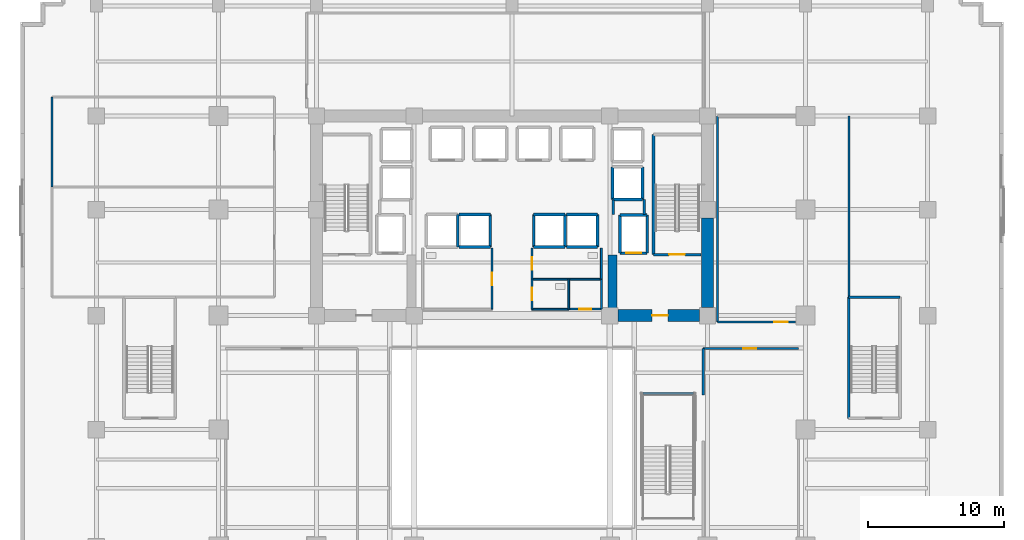
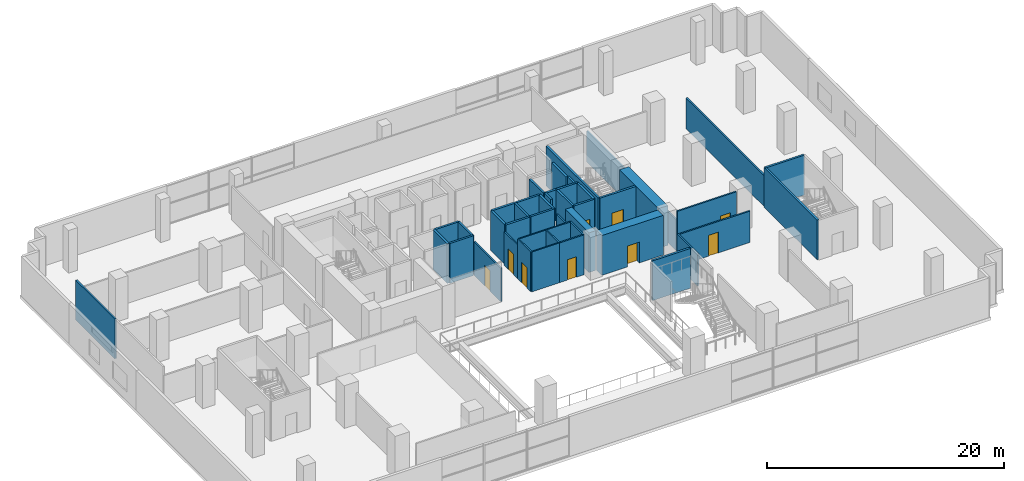
# One storey, part 15 of 21: 43 walls, 9 doors, 9 openings.
"""IFC4 building model written with IfcOpenShell, lengths in metres."""

from ifc_helpers import new_model, si_unit, direction, frame, frame_2d, origin, place, context, subcontext, project, spatial, rectangle, extrude, source, transform, mapped, material, layer, layer_set, type_object, element, fill, save


model = new_model("IFC4")

# Units and contexts
model_context = context("Model", 3, precision=1e-05, world=origin(), true_north=direction((0.0, 1.0)))
body_context = subcontext(model_context, "Body", "Model", "MODEL_VIEW")
ifc_project = project(units=[si_unit("LENGTHUNIT", "METRE"), si_unit("AREAUNIT", "SQUARE_METRE"), si_unit("VOLUMEUNIT", "CUBIC_METRE"), si_unit("PLANEANGLEUNIT", "RADIAN"), si_unit("MASSUNIT", "GRAM", prefix="KILO")], contexts=[model_context])

# Site, building, storey
site_placement = place(None, origin())
site = spatial("IfcSite", under=ifc_project, at=site_placement, CompositionType="ELEMENT")
building_placement = place(site_placement, origin())
building = spatial("IfcBuilding", under=site, at=building_placement, Name="Zarnakvel Exchange Tower", CompositionType="ELEMENT")
storey_placement = place(building_placement, frame((0.0, 0.0, 18.199951171875)))
storey = spatial("IfcBuildingStorey", under=building, at=storey_placement, Name="L04", CompositionType="ELEMENT", Elevation=18.199951171875)

# Wall
ifc_material_1 = material(Name="Concrete C80/95", Category="concrete")
ifc_layer_1 = layer(ifc_material_1, 0.89990234375)
ifc_layer_set_1 = layer_set([ifc_layer_1], Name="Concrete C80/95")
wall_type_1 = type_object("IfcWallType", Name="CW-C1", PredefinedType="SHEAR", material=ifc_layer_set_1)
wall_1_placement = place(storey_placement, frame((14.39990234375, -0.60009765625, 0.0), z_axis=(0.0, 0.0, 1.0), x_axis=(0.0, 1.0, 0.0)))
element("IfcWall", 1, at=wall_1_placement, inside=storey, type_object=wall_type_1, Name="L04 Rear Core Shear Wall E1 (CW-C1)", PredefinedType="SHEAR", context=body_context, shape_type="SweptSolid", body=[
    extrude(rectangle(XDim=6.60009765625, YDim=0.89990234375, at=frame_2d((3.300048828125, 0.0))), origin(), (0.0, 0.0, 1.0), 4.10009765625),
])

# Wall, opening, door
wall_2_placement = place(storey_placement, frame((13.800048828125, -1.199951171875, 0.0), z_axis=(0.0, 0.0, 1.0), x_axis=(-1.0, 0.0, 0.0)))
wall_2 = element("IfcWall", 2, at=wall_2_placement, inside=storey, type_object=wall_type_1, Name="L04 Rear Core Shear Wall SE (CW-C1)", PredefinedType="SHEAR", context=body_context, shape_type="SweptSolid", body=[
    extrude(rectangle(XDim=6.0, YDim=0.89990234375, at=frame_2d((3.0, 0.0))), origin(), (0.0, 0.0, 1.0), 4.10009765625),
])
opening_1_placement = place(wall_2_placement, frame((2.324951171875, 0.0, 0.0)))
opening_1 = element("IfcOpeningElement", 3, at=opening_1_placement, cuts=wall_2, Name="Opening D-L04-04", PredefinedType="OPENING", context=body_context, shape_type="SweptSolid", body=[
    extrude(rectangle(XDim=1.14990234375, YDim=2.14990234375, at=frame_2d((0.574951171875, 1.074951171875))), frame((0.0, 0.4599609375, 0.0), z_axis=(0.0, -1.0, 0.0), x_axis=(1.0, 0.0, 0.0)), (0.0, 0.0, 1.0), 0.919921875),
])
ifc_material_2 = material(Name="Painted Galvanised Steel S355", Category="steel")
door_type_1 = type_object("IfcDoorType", Name="DT-04", OperationType="NOTDEFINED", PredefinedType="DOOR", material=ifc_material_2)
shared_shape_1 = source(origin(), body_context, "Body", "SweptSolid", [
    extrude(rectangle(XDim=1.14990234375, YDim=2.14990234375, at=frame_2d((0.574951171875, 1.074951171875))), frame((0.0, 0.02490234375, 0.0), z_axis=(0.0, -1.0, 0.0), x_axis=(1.0, 0.0, 0.0)), (0.0, 0.0, 1.0), 0.050048828125),
])
door_1_placement = place(opening_1_placement, origin())
door_1 = element("IfcDoor", 4, at=door_1_placement, inside=storey, type_object=door_type_1, Name="L04 Firefighting Lobby East Door D-L04-04", OperationType="SINGLE_SWING_LEFT", OverallHeight=2.14990234375, OverallWidth=1.14990234375, PredefinedType="DOOR", context=body_context, shape_type="MappedRepresentation", body=[
    mapped(shared_shape_1, transform((0.0, 0.0, 0.0), x_axis=(1.0, 0.0, 0.0), y_axis=(0.0, 1.0, 0.0), z_axis=(0.0, 0.0, 1.0), scale=1.0)),
])
fill(opening_1, door_1)

# Wall
ifc_layer_2 = layer(ifc_material_1, 0.64990234375)
ifc_layer_set_2 = layer_set([ifc_layer_2], Name="Concrete C80/95")
wall_type_2 = type_object("IfcWallType", Name="CW-C2", PredefinedType="SHEAR", material=ifc_layer_set_2)
wall_3_placement = place(storey_placement, frame((7.39990234375, -0.75, 0.0), z_axis=(0.0, 0.0, 1.0), x_axis=(0.0, 1.0, 0.0)))
element("IfcWall", 5, at=wall_3_placement, inside=storey, type_object=wall_type_2, Name="L04 Rear Core Shear Wall IE (CW-C2)", PredefinedType="SHEAR", context=body_context, shape_type="SweptSolid", body=[
    extrude(rectangle(XDim=4.0, YDim=0.64990234375, at=frame_2d((2.0, 0.0))), origin(), (0.0, 0.0, 1.0), 4.10009765625),
])

# Wall, opening, door
ifc_material_3 = material(Name="Fire-Rated Gypsum Stud Partition", Category="gypsum")
ifc_layer_3 = layer(ifc_material_3, 0.14990234375)
ifc_layer_set_3 = layer_set([ifc_layer_3], Name="Fire-Rated Gypsum Stud Partition")
wall_type_3 = type_object("IfcWallType", Name="PT-01", PredefinedType="PARTITIONING", material=ifc_layer_set_3)
wall_4_placement = place(storey_placement, frame((6.580078125, -0.72998046875, 0.0), z_axis=(0.0, 0.0, 1.0), x_axis=(-1.0, 0.0, 0.0)))
wall_4 = element("IfcWall", 6, at=wall_4_placement, inside=storey, type_object=wall_type_3, Name="L04 Partition Wall PWALL-L04-020 (PT-01)", PredefinedType="PARTITIONING", context=body_context, shape_type="SweptSolid", body=[
    extrude(rectangle(XDim=2.400146484375, YDim=0.14990234375, at=frame_2d((1.2001953125, 0.0))), origin(), (0.0, 0.0, 1.0), 4.10009765625),
])
opening_2_placement = place(wall_4_placement, frame((0.760009765625, 0.0, 0.0)))
opening_2 = element("IfcOpeningElement", 7, at=opening_2_placement, cuts=wall_4, Name="Opening D-L04-08", PredefinedType="OPENING", context=body_context, shape_type="SweptSolid", body=[
    extrude(rectangle(XDim=0.8798828125, YDim=2.10009765625, at=frame_2d((0.43994140625, 1.050048828125))), frame((0.0, 0.0849609375, 0.0), z_axis=(0.0, -1.0, 0.0), x_axis=(1.0, 0.0, 0.0)), (0.0, 0.0, 1.0), 0.169921875),
])
door_type_2 = type_object("IfcDoorType", Name="DT-08", OperationType="NOTDEFINED", PredefinedType="DOOR", material=ifc_material_2)
shared_shape_2 = source(origin(), body_context, "Body", "SweptSolid", [
    extrude(rectangle(XDim=0.8798828125, YDim=2.10009765625, at=frame_2d((0.43994140625, 1.050048828125))), frame((0.0, 0.02490234375, 0.0), z_axis=(0.0, -1.0, 0.0), x_axis=(1.0, 0.0, 0.0)), (0.0, 0.0, 1.0), 0.050048828125),
])
door_2_placement = place(opening_2_placement, origin())
door_2 = element("IfcDoor", 8, at=door_2_placement, inside=storey, type_object=door_type_2, Name="L04 Cleaners Store Door D-L04-08", OperationType="SINGLE_SWING_LEFT", OverallHeight=2.10009765625, OverallWidth=0.8798828125, PredefinedType="DOOR", context=body_context, shape_type="MappedRepresentation", body=[
    mapped(shared_shape_2, transform((0.0, 0.0, 0.0), x_axis=(1.0, 0.0, 0.0), y_axis=(0.0, 1.0, 0.0), z_axis=(0.0, 0.0, 1.0), scale=1.0)),
])
fill(opening_2, door_2)

# Wall
wall_5_placement = place(storey_placement, frame((6.580078125, 1.47998046875, 0.0), z_axis=(0.0, 0.0, 1.0), x_axis=(0.0, -1.0, 0.0)))
element("IfcWall", 9, at=wall_5_placement, inside=storey, type_object=wall_type_3, Name="L04 Partition Wall PWALL-L04-021 (PT-01)", PredefinedType="PARTITIONING", context=body_context, shape_type="SweptSolid", body=[
    extrude(rectangle(XDim=2.2099609375, YDim=0.14990234375, at=frame_2d((1.10498046875, 0.0))), origin(), (0.0, 0.0, 1.0), 4.10009765625),
])

# Wall, opening, door
wall_6_placement = place(storey_placement, frame((14.080078125, -3.6298828125, 0.0), z_axis=(0.0, 0.0, 1.0), x_axis=(1.0, 0.0, 0.0)))
wall_6 = element("IfcWall", 10, at=wall_6_placement, inside=storey, type_object=wall_type_3, Name="L04 Partition Wall PWALL-L04-035 (PT-01)", PredefinedType="PARTITIONING", context=body_context, shape_type="SweptSolid", body=[
    extrude(rectangle(XDim=7.0, YDim=0.14990234375, at=frame_2d((3.5, 0.0))), origin(), (0.0, 0.0, 1.0), 3.2392578125),
])
opening_3_placement = place(wall_6_placement, frame((2.929931640625, 0.0, 0.0)))
opening_3 = element("IfcOpeningElement", 11, at=opening_3_placement, cuts=wall_6, Name="Opening D-L04-12", PredefinedType="OPENING", context=body_context, shape_type="SweptSolid", body=[
    extrude(rectangle(XDim=0.97998046875, YDim=2.14990234375, at=frame_2d((0.489990234375, 1.074951171875))), frame((0.0, 0.0849609375, 0.0), z_axis=(0.0, -1.0, 0.0), x_axis=(1.0, 0.0, 0.0)), (0.0, 0.0, 1.0), 0.169921875),
])
ifc_material_4 = material(Name="Timber Acoustic Veneer", Category="wood")
door_type_3 = type_object("IfcDoorType", Name="DT-05", OperationType="NOTDEFINED", PredefinedType="DOOR", material=ifc_material_4)
shared_shape_3 = source(origin(), body_context, "Body", "SweptSolid", [
    extrude(rectangle(XDim=0.97998046875, YDim=2.14990234375, at=frame_2d((0.489990234375, 1.074951171875))), frame((0.0, 0.02490234375, 0.0), z_axis=(0.0, -1.0, 0.0), x_axis=(1.0, 0.0, 0.0)), (0.0, 0.0, 1.0), 0.050048828125),
])
door_3_placement = place(opening_3_placement, origin())
door_3 = element("IfcDoor", 12, at=door_3_placement, inside=storey, type_object=door_type_3, Name="L04 Members Restaurant Lounge Door D-L04-12", OperationType="SINGLE_SWING_LEFT", OverallHeight=2.14990234375, OverallWidth=0.97998046875, PredefinedType="DOOR", context=body_context, shape_type="MappedRepresentation", body=[
    mapped(shared_shape_3, transform((0.0, 0.0, 0.0), x_axis=(1.0, 0.0, 0.0), y_axis=(0.0, 1.0, 0.0), z_axis=(0.0, 0.0, 1.0), scale=1.0)),
])
fill(opening_3, door_3)

# Walls
wall_7_placement = place(storey_placement, frame((14.080078125, -7.050048828125, 0.0), z_axis=(0.0, 0.0, 1.0), x_axis=(0.0, 1.0, 0.0)))
element("IfcWall", 13, at=wall_7_placement, inside=storey, type_object=wall_type_3, Name="L04 Partition Wall PWALL-L04-037 (PT-01)", PredefinedType="PARTITIONING", context=body_context, shape_type="SweptSolid", body=[
    extrude(rectangle(XDim=3.420166015625, YDim=0.14990234375, at=frame_2d((1.7099609375, 0.0))), origin(), (0.0, 0.0, 1.0), 3.2900390625),
])
wall_8_placement = place(storey_placement, frame((-33.8798828125, 8.280029296875, 0.0), z_axis=(0.0, 0.0, 1.0), x_axis=(0.0, 1.0, 0.0)))
element("IfcWall", 14, at=wall_8_placement, inside=storey, type_object=wall_type_3, Name="L04 Partition Wall PWALL-L04-045 (PT-01)", PredefinedType="PARTITIONING", context=body_context, shape_type="SweptSolid", body=[
    extrude(rectangle(XDim=6.599853515625, YDim=0.14990234375, at=frame_2d((3.2998046875, 0.0))), origin(), (0.0, 0.0, 1.0), 4.10009765625),
])

# Wall, opening, door
wall_9_placement = place(storey_placement, frame((20.8798828125, -1.669921875, 0.0), z_axis=(0.0, 0.0, 1.0), x_axis=(-1.0, 0.0, 0.0)))
wall_9 = element("IfcWall", 15, at=wall_9_placement, inside=storey, type_object=wall_type_3, Name="L04 Partition Wall PWALL-L04-047 (PT-01)", PredefinedType="PARTITIONING", context=body_context, shape_type="SweptSolid", body=[
    extrude(rectangle(XDim=5.759765625, YDim=0.14990234375, at=frame_2d((2.8798828125, 0.0))), origin(), (0.0, 0.0, 1.0), 4.10009765625),
])
opening_4_placement = place(wall_9_placement, frame((0.590087890625, 0.0, 0.0)))
opening_4 = element("IfcOpeningElement", 16, at=opening_4_placement, cuts=wall_9, Name="Opening D-L04-15", PredefinedType="OPENING", context=body_context, shape_type="SweptSolid", body=[
    extrude(rectangle(XDim=0.97998046875, YDim=2.14990234375, at=frame_2d((0.489990234375, 1.074951171875))), frame((0.0, 0.0849609375, 0.0), z_axis=(0.0, -1.0, 0.0), x_axis=(1.0, 0.0, 0.0)), (0.0, 0.0, 1.0), 0.169921875),
])
door_4_placement = place(opening_4_placement, origin())
door_4 = element("IfcDoor", 17, at=door_4_placement, inside=storey, type_object=door_type_3, Name="L04 Central Depository Settlement Suite Door D-L04-15", OperationType="SINGLE_SWING_RIGHT", OverallHeight=2.14990234375, OverallWidth=0.97998046875, PredefinedType="DOOR", context=body_context, shape_type="MappedRepresentation", body=[
    mapped(shared_shape_3, transform((0.0, 0.0, 0.0), x_axis=(1.0, 0.0, 0.0), y_axis=(0.0, 1.0, 0.0), z_axis=(0.0, 0.0, 1.0), scale=1.0)),
])
fill(opening_4, door_4)

# Walls
wall_10_placement = place(storey_placement, frame((15.1201171875, -1.669921875, 0.0), z_axis=(0.0, 0.0, 1.0), x_axis=(0.0, 1.0, 0.0)))
element("IfcWall", 18, at=wall_10_placement, inside=storey, type_object=wall_type_3, Name="L04 Partition Wall PWALL-L04-049 (PT-01)", PredefinedType="PARTITIONING", context=body_context, shape_type="SweptSolid", body=[
    extrude(rectangle(XDim=15.14990234375, YDim=0.14990234375, at=frame_2d((7.574951171875, 0.0))), origin(), (0.0, 0.0, 1.0), 3.18994140625),
])
wall_11_placement = place(storey_placement, frame((24.820068359375, 13.47998046875, 0.0), z_axis=(0.0, 0.0, 1.0), x_axis=(0.0, -1.0, 0.0)))
element("IfcWall", 19, at=wall_11_placement, inside=storey, type_object=wall_type_3, Name="L04 Partition Wall PWALL-L04-050 (PT-01)", PredefinedType="PARTITIONING", context=body_context, shape_type="SweptSolid", body=[
    extrude(rectangle(XDim=13.320068359375, YDim=0.14990234375, at=frame_2d((6.66015625, 0.0))), origin(), (0.0, 0.0, 1.0), 3.18994140625),
])
ifc_layer_4 = layer(ifc_material_3, 0.179931640625)
ifc_layer_set_4 = layer_set([ifc_layer_4], Name="Fire-Rated Gypsum Stud Partition")
wall_type_4 = type_object("IfcWallType", Name="PT-02", PredefinedType="PARTITIONING", material=ifc_layer_set_4)
wall_12_placement = place(storey_placement, frame((7.469970703125, 6.239990234375, 0.0), z_axis=(0.0, 0.0, 1.0), x_axis=(0.0, 1.0, 0.0)))
element("IfcWall", 20, at=wall_12_placement, inside=storey, type_object=wall_type_4, Name="L04 Partition Wall PWALL-L04-009 (PT-02)", PredefinedType="PARTITIONING", context=body_context, shape_type="SweptSolid", body=[
    extrude(rectangle(XDim=1.090087890625, YDim=0.179931640625, at=frame_2d((0.544921875, 0.0))), origin(), (0.0, 0.0, 1.0), 3.18994140625),
])
wall_13_placement = place(storey_placement, frame((9.72998046875, 7.330078125, 0.0), z_axis=(0.0, 0.0, 1.0), x_axis=(0.0, -1.0, 0.0)))
element("IfcWall", 21, at=wall_13_placement, inside=storey, type_object=wall_type_4, Name="L04 Partition Wall PWALL-L04-010 (PT-02)", PredefinedType="PARTITIONING", context=body_context, shape_type="SweptSolid", body=[
    extrude(rectangle(XDim=1.090087890625, YDim=0.179931640625, at=frame_2d((0.544921875, 0.0))), origin(), (0.0, 0.0, 1.0), 4.10009765625),
])

# Wall, opening, door
ifc_material_5 = material(Name="Moisture-Resistant Tile-Faced Partition", Category="gypsum")
ifc_layer_5 = layer(ifc_material_5, 0.135009765625)
ifc_layer_set_5 = layer_set([ifc_layer_5], Name="Moisture-Resistant Tile-Faced Partition")
wall_type_5 = type_object("IfcWallType", Name="PT-03", PredefinedType="PARTITIONING", material=ifc_layer_set_5)
wall_14_placement = place(storey_placement, frame((-1.469970703125, 3.760009765625, 0.0), z_axis=(0.0, 0.0, 1.0), x_axis=(0.0, -1.0, 0.0)))
wall_14 = element("IfcWall", 22, at=wall_14_placement, inside=storey, type_object=wall_type_5, Name="L04 Partition Wall PWALL-L04-013 (PT-03)", PredefinedType="PARTITIONING", context=body_context, shape_type="SweptSolid", body=[
    extrude(rectangle(XDim=4.489990234375, YDim=0.135009765625, at=frame_2d((2.2451171875, 0.0))), origin(), (0.0, 0.0, 1.0), 3.472900390625),
])
opening_5_placement = place(wall_14_placement, frame((1.800048828125, 0.0, 0.0)))
opening_5 = element("IfcOpeningElement", 23, at=opening_5_placement, cuts=wall_14, Name="Opening D-L04-05", PredefinedType="OPENING", context=body_context, shape_type="SweptSolid", body=[
    extrude(rectangle(XDim=0.919921875, YDim=2.10009765625, at=frame_2d((0.4599609375, 1.050048828125))), frame((0.0, 0.077392578125, 0.0), z_axis=(0.0, -1.0, 0.0), x_axis=(1.0, 0.0, 0.0)), (0.0, 0.0, 1.0), 0.155029296875),
])
ifc_material_6 = material(Name="Moisture-Resistant Laminate Timber", Category="wood")
door_type_4 = type_object("IfcDoorType", Name="DT-07", OperationType="NOTDEFINED", PredefinedType="DOOR", material=ifc_material_6)
shared_shape_4 = source(origin(), body_context, "Body", "SweptSolid", [
    extrude(rectangle(XDim=0.919921875, YDim=2.10009765625, at=frame_2d((0.4599609375, 1.050048828125))), frame((0.0, 0.02490234375, 0.0), z_axis=(0.0, -1.0, 0.0), x_axis=(1.0, 0.0, 0.0)), (0.0, 0.0, 1.0), 0.050048828125),
])
door_5_placement = place(opening_5_placement, origin())
door_5 = element("IfcDoor", 24, at=door_5_placement, inside=storey, type_object=door_type_4, Name="L04 Male Toilet Door D-L04-05", OperationType="SINGLE_SWING_RIGHT", OverallHeight=2.10009765625, OverallWidth=0.919921875, PredefinedType="DOOR", context=body_context, shape_type="MappedRepresentation", body=[
    mapped(shared_shape_4, transform((0.0, 0.0, 0.0), x_axis=(1.0, 0.0, 0.0), y_axis=(0.0, 1.0, 0.0), z_axis=(0.0, 0.0, 1.0), scale=1.0)),
])
fill(opening_5, door_5)

# Wall
wall_15_placement = place(storey_placement, frame((6.580078125, 1.47998046875, 0.0), z_axis=(0.0, 0.0, 1.0), x_axis=(-1.0, 0.0, 0.0)))
element("IfcWall", 25, at=wall_15_placement, inside=storey, type_object=wall_type_5, Name="L04 Partition Wall PWALL-L04-014 (PT-03)", PredefinedType="PARTITIONING", context=body_context, shape_type="SweptSolid", body=[
    extrude(rectangle(XDim=5.110107421875, YDim=0.135009765625, at=frame_2d((2.55517578125, 0.0))), origin(), (0.0, 0.0, 1.0), 4.10009765625),
])

# Wall, opening, door
wall_16_placement = place(storey_placement, frame((1.469970703125, 1.47998046875, 0.0), z_axis=(0.0, 0.0, 1.0), x_axis=(0.0, 1.0, 0.0)))
wall_16 = element("IfcWall", 26, at=wall_16_placement, inside=storey, type_object=wall_type_5, Name="L04 Partition Wall PWALL-L04-015 (PT-03)", PredefinedType="PARTITIONING", context=body_context, shape_type="SweptSolid", body=[
    extrude(rectangle(XDim=2.280029296875, YDim=0.135009765625, at=frame_2d((1.14013671875, 0.0))), origin(), (0.0, 0.0, 1.0), 3.472900390625),
])
opening_6_placement = place(wall_16_placement, frame((0.679931640625, 0.0, 0.0)))
opening_6 = element("IfcOpeningElement", 27, at=opening_6_placement, cuts=wall_16, Name="Opening D-L04-06", PredefinedType="OPENING", context=body_context, shape_type="SweptSolid", body=[
    extrude(rectangle(XDim=0.919921875, YDim=2.10009765625, at=frame_2d((0.4599609375, 1.050048828125))), frame((0.0, 0.077392578125, 0.0), z_axis=(0.0, -1.0, 0.0), x_axis=(1.0, 0.0, 0.0)), (0.0, 0.0, 1.0), 0.155029296875),
])
door_6_placement = place(opening_6_placement, origin())
door_6 = element("IfcDoor", 28, at=door_6_placement, inside=storey, type_object=door_type_4, Name="L04 Female Toilet Door D-L04-06", OperationType="SINGLE_SWING_LEFT", OverallHeight=2.10009765625, OverallWidth=0.919921875, PredefinedType="DOOR", context=body_context, shape_type="MappedRepresentation", body=[
    mapped(shared_shape_4, transform((0.0, 0.0, 0.0), x_axis=(1.0, 0.0, 0.0), y_axis=(0.0, 1.0, 0.0), z_axis=(0.0, 0.0, 1.0), scale=1.0)),
])
fill(opening_6, door_6)

# Walls
wall_17_placement = place(storey_placement, frame((6.580078125, 3.760009765625, 0.0), z_axis=(0.0, 0.0, 1.0), x_axis=(0.0, -1.0, 0.0)))
element("IfcWall", 29, at=wall_17_placement, inside=storey, type_object=wall_type_5, Name="L04 Partition Wall PWALL-L04-016 (PT-03)", PredefinedType="PARTITIONING", context=body_context, shape_type="SweptSolid", body=[
    extrude(rectangle(XDim=2.280029296875, YDim=0.135009765625, at=frame_2d((1.14013671875, 0.0))), origin(), (0.0, 0.0, 1.0), 3.472900390625),
])
wall_18_placement = place(storey_placement, frame((4.179931640625, -0.72998046875, 0.0), z_axis=(0.0, 0.0, 1.0), x_axis=(-1.0, 0.0, 0.0)))
element("IfcWall", 30, at=wall_18_placement, inside=storey, type_object=wall_type_5, Name="L04 Partition Wall PWALL-L04-017 (PT-03)", PredefinedType="PARTITIONING", context=body_context, shape_type="SweptSolid", body=[
    extrude(rectangle(XDim=2.7099609375, YDim=0.135009765625, at=frame_2d((1.35498046875, 0.0))), origin(), (0.0, 0.0, 1.0), 4.10009765625),
])

# Wall, opening, door
wall_19_placement = place(storey_placement, frame((1.469970703125, -0.72998046875, 0.0), z_axis=(0.0, 0.0, 1.0), x_axis=(0.0, 1.0, 0.0)))
wall_19 = element("IfcWall", 31, at=wall_19_placement, inside=storey, type_object=wall_type_5, Name="L04 Partition Wall PWALL-L04-018 (PT-03)", PredefinedType="PARTITIONING", context=body_context, shape_type="SweptSolid", body=[
    extrude(rectangle(XDim=2.2099609375, YDim=0.135009765625, at=frame_2d((1.10498046875, 0.0))), origin(), (0.0, 0.0, 1.0), 4.10009765625),
])
opening_7_placement = place(wall_19_placement, frame((0.64990234375, 0.0, 0.0)))
opening_7 = element("IfcOpeningElement", 32, at=opening_7_placement, cuts=wall_19, Name="Opening D-L04-07", PredefinedType="OPENING", context=body_context, shape_type="SweptSolid", body=[
    extrude(rectangle(XDim=0.919921875, YDim=2.10009765625, at=frame_2d((0.4599609375, 1.050048828125))), frame((0.0, 0.077392578125, 0.0), z_axis=(0.0, -1.0, 0.0), x_axis=(1.0, 0.0, 0.0)), (0.0, 0.0, 1.0), 0.155029296875),
])
door_7_placement = place(opening_7_placement, origin())
door_7 = element("IfcDoor", 33, at=door_7_placement, inside=storey, type_object=door_type_4, Name="L04 Accessible Toilet Door D-L04-07", OperationType="SINGLE_SWING_RIGHT", OverallHeight=2.10009765625, OverallWidth=0.919921875, PredefinedType="DOOR", context=body_context, shape_type="MappedRepresentation", body=[
    mapped(shared_shape_4, transform((0.0, 0.0, 0.0), x_axis=(1.0, 0.0, 0.0), y_axis=(0.0, 1.0, 0.0), z_axis=(0.0, 0.0, 1.0), scale=1.0)),
])
fill(opening_7, door_7)

# Wall
wall_20_placement = place(storey_placement, frame((4.179931640625, 1.47998046875, 0.0), z_axis=(0.0, 0.0, 1.0), x_axis=(0.0, -1.0, 0.0)))
element("IfcWall", 34, at=wall_20_placement, inside=storey, type_object=wall_type_5, Name="L04 Partition Wall PWALL-L04-019 (PT-03)", PredefinedType="PARTITIONING", context=body_context, shape_type="SweptSolid", body=[
    extrude(rectangle(XDim=2.2099609375, YDim=0.135009765625, at=frame_2d((1.10498046875, 0.0))), origin(), (0.0, 0.0, 1.0), 4.10009765625),
])

# Wall, opening, door
ifc_material_7 = material(Name="Concrete C40/50", Category="concrete")
ifc_layer_6 = layer(ifc_material_7, 0.199951171875)
ifc_layer_set_6 = layer_set([ifc_layer_6], Name="Concrete C40/50")
wall_type_6 = type_object("IfcWallType", Name="SW-01", PredefinedType="SOLIDWALL", material=ifc_layer_set_6)
wall_21_placement = place(storey_placement, frame((9.949951171875, 3.39990234375, 0.0), z_axis=(0.0, 0.0, 1.0), x_axis=(-1.0, 0.0, 0.0)))
wall_21 = element("IfcWall", 35, at=wall_21_placement, inside=storey, type_object=wall_type_6, Name="L04 FL-02 Hoistway Wall South", PredefinedType="SOLIDWALL", context=body_context, shape_type="SweptSolid", body=[
    extrude(rectangle(XDim=2.0, YDim=0.199951171875, at=frame_2d((1.0, 0.0))), origin(), (0.0, 0.0, 1.0), 4.10009765625),
])
opening_8_placement = place(wall_21_placement, frame((0.449951171875, 0.0, 0.0)))
opening_8 = element("IfcOpeningElement", 36, at=opening_8_placement, cuts=wall_21, Name="Opening LD-FL-02-L04", PredefinedType="OPENING", context=body_context, shape_type="SweptSolid", body=[
    extrude(rectangle(XDim=1.10009765625, YDim=2.199951171875, at=frame_2d((0.550048828125, 1.10009765625))), frame((0.0, 0.10986328125, 0.0), z_axis=(0.0, -1.0, 0.0), x_axis=(1.0, 0.0, 0.0)), (0.0, 0.0, 1.0), 0.219970703125),
])
ifc_material_8 = material(Name="Brushed Stainless Steel", Category="steel")
door_type_5 = type_object("IfcDoorType", Name="LDT-01", OperationType="NOTDEFINED", PredefinedType="DOOR", material=ifc_material_8)
shared_shape_5 = source(origin(), body_context, "Body", "SweptSolid", [
    extrude(rectangle(XDim=1.10009765625, YDim=2.199951171875, at=frame_2d((0.550048828125, 1.10009765625))), frame((0.0, 0.02490234375, 0.0), z_axis=(0.0, -1.0, 0.0), x_axis=(1.0, 0.0, 0.0)), (0.0, 0.0, 1.0), 0.050048828125),
])
door_8_placement = place(opening_8_placement, origin())
door_8 = element("IfcDoor", 37, at=door_8_placement, inside=storey, type_object=door_type_5, Name="L04 FL-02 Lift Landing Door LD-FL-02-L04", OperationType="DOUBLE_DOOR_SLIDING", OverallHeight=2.199951171875, OverallWidth=1.10009765625, PredefinedType="DOOR", context=body_context, shape_type="MappedRepresentation", body=[
    mapped(shared_shape_5, transform((0.0, 0.0, 0.0), x_axis=(1.0, 0.0, 0.0), y_axis=(0.0, 1.0, 0.0), z_axis=(0.0, 0.0, 1.0), scale=1.0)),
])
fill(opening_8, door_8)

# Walls
wall_22_placement = place(storey_placement, frame((7.949951171875, 6.199951171875, 0.0), z_axis=(0.0, 0.0, 1.0), x_axis=(1.0, 0.0, 0.0)))
element("IfcWall", 38, at=wall_22_placement, inside=storey, type_object=wall_type_6, Name="L04 FL-02 Hoistway Wall North", PredefinedType="SOLIDWALL", context=body_context, shape_type="SweptSolid", body=[
    extrude(rectangle(XDim=2.0, YDim=0.199951171875, at=frame_2d((1.0, 0.0))), origin(), (0.0, 0.0, 1.0), 4.10009765625),
])
for number, where, z_axis, x_axis, name in (
    (39, (7.949951171875, 3.39990234375, 0.0), (0.0, 0.0, 1.0), (0.0, 1.0, 0.0), "L04 FL-02 Hoistway Wall West"),
    (40, (9.949951171875, 6.199951171875, 0.0), (0.0, 0.0, 1.0), (0.0, -1.0, 0.0), "L04 FL-02 Hoistway Wall East"),
):
    element("IfcWall", number, at=place(storey_placement, frame(where, z_axis=z_axis, x_axis=x_axis)), inside=storey, type_object=wall_type_6, Name=name, PredefinedType="SOLIDWALL", context=body_context, shape_type="SweptSolid", body=[
        extrude(rectangle(XDim=2.800048828125, YDim=0.199951171875, at=frame_2d((1.39990234375, 0.0))), origin(), (0.0, 0.0, 1.0), 4.10009765625),
    ])
wall_23_placement = place(storey_placement, frame((-4.0, 6.25, 0.0), z_axis=(0.0, 0.0, 1.0), x_axis=(0.0, -1.0, 0.0)))
element("IfcWall", 41, at=wall_23_placement, inside=storey, type_object=wall_type_6, Name="L04 PL-05 Hoistway Wall East", PredefinedType="SOLIDWALL", context=body_context, shape_type="SweptSolid", body=[
    extrude(rectangle(XDim=2.39990234375, YDim=0.199951171875, at=frame_2d((1.199951171875, 0.0))), origin(), (0.0, 0.0, 1.0), 4.10009765625),
])
for number, where, z_axis, x_axis, name in (
    (42, (-1.60009765625, 3.85009765625, 0.0), (0.0, 0.0, 1.0), (-1.0, 0.0, 0.0), "L04 PL-06 Hoistway Wall South"),
    (43, (-3.89990234375, 6.25, 0.0), (0.0, 0.0, 1.0), (1.0, 0.0, 0.0), "L04 PL-06 Hoistway Wall North"),
):
    element("IfcWall", number, at=place(storey_placement, frame(where, z_axis=z_axis, x_axis=x_axis)), inside=storey, type_object=wall_type_6, Name=name, PredefinedType="SOLIDWALL", context=body_context, shape_type="SweptSolid", body=[
        extrude(rectangle(XDim=2.2998046875, YDim=0.199951171875, at=frame_2d((1.14990234375, 0.0))), origin(), (0.0, 0.0, 1.0), 4.10009765625),
    ])
wall_24_placement = place(storey_placement, frame((-1.60009765625, 6.25, 0.0), z_axis=(0.0, 0.0, 1.0), x_axis=(0.0, -1.0, 0.0)))
element("IfcWall", 44, at=wall_24_placement, inside=storey, type_object=wall_type_6, Name="L04 PL-06 Hoistway Wall East", PredefinedType="SOLIDWALL", context=body_context, shape_type="SweptSolid", body=[
    extrude(rectangle(XDim=2.39990234375, YDim=0.199951171875, at=frame_2d((1.199951171875, 0.0))), origin(), (0.0, 0.0, 1.0), 4.10009765625),
])
for number, where, z_axis, x_axis, name in (
    (45, (3.89990234375, 3.85009765625, 0.0), (0.0, 0.0, 1.0), (-1.0, 0.0, 0.0), "L04 PL-07 Hoistway Wall South"),
    (46, (1.60009765625, 6.25, 0.0), (0.0, 0.0, 1.0), (1.0, 0.0, 0.0), "L04 PL-07 Hoistway Wall North"),
):
    element("IfcWall", number, at=place(storey_placement, frame(where, z_axis=z_axis, x_axis=x_axis)), inside=storey, type_object=wall_type_6, Name=name, PredefinedType="SOLIDWALL", context=body_context, shape_type="SweptSolid", body=[
        extrude(rectangle(XDim=2.2998046875, YDim=0.199951171875, at=frame_2d((1.14990234375, 0.0))), origin(), (0.0, 0.0, 1.0), 4.10009765625),
    ])
for number, where, z_axis, x_axis, name in (
    (47, (1.60009765625, 3.85009765625, 0.0), (0.0, 0.0, 1.0), (0.0, 1.0, 0.0), "L04 PL-07 Hoistway Wall West"),
    (48, (3.89990234375, 6.25, 0.0), (0.0, 0.0, 1.0), (0.0, -1.0, 0.0), "L04 PL-07 Hoistway Wall East"),
):
    element("IfcWall", number, at=place(storey_placement, frame(where, z_axis=z_axis, x_axis=x_axis)), inside=storey, type_object=wall_type_6, Name=name, PredefinedType="SOLIDWALL", context=body_context, shape_type="SweptSolid", body=[
        extrude(rectangle(XDim=2.39990234375, YDim=0.199951171875, at=frame_2d((1.199951171875, 0.0))), origin(), (0.0, 0.0, 1.0), 4.10009765625),
    ])
for number, where, z_axis, x_axis, name in (
    (49, (6.300048828125, 3.85009765625, 0.0), (0.0, 0.0, 1.0), (-1.0, 0.0, 0.0), "L04 PL-08 Hoistway Wall South"),
    (50, (4.0, 6.25, 0.0), (0.0, 0.0, 1.0), (1.0, 0.0, 0.0), "L04 PL-08 Hoistway Wall North"),
):
    element("IfcWall", number, at=place(storey_placement, frame(where, z_axis=z_axis, x_axis=x_axis)), inside=storey, type_object=wall_type_6, Name=name, PredefinedType="SOLIDWALL", context=body_context, shape_type="SweptSolid", body=[
        extrude(rectangle(XDim=2.300048828125, YDim=0.199951171875, at=frame_2d((1.14990234375, 0.0))), origin(), (0.0, 0.0, 1.0), 4.10009765625),
    ])
wall_25_placement = place(storey_placement, frame((6.300048828125, 6.25, 0.0), z_axis=(0.0, 0.0, 1.0), x_axis=(0.0, -1.0, 0.0)))
element("IfcWall", 51, at=wall_25_placement, inside=storey, type_object=wall_type_6, Name="L04 PL-08 Hoistway Wall East", PredefinedType="SOLIDWALL", context=body_context, shape_type="SweptSolid", body=[
    extrude(rectangle(XDim=2.39990234375, YDim=0.199951171875, at=frame_2d((1.199951171875, 0.0))), origin(), (0.0, 0.0, 1.0), 4.10009765625),
])
wall_26_placement = place(storey_placement, frame((9.60009765625, 7.35009765625, 0.0), z_axis=(0.0, 0.0, 1.0), x_axis=(-1.0, 0.0, 0.0)))
element("IfcWall", 52, at=wall_26_placement, inside=storey, type_object=wall_type_6, Name="L04 PL-11 Hoistway Wall South", PredefinedType="SOLIDWALL", context=body_context, shape_type="SweptSolid", body=[
    extrude(rectangle(XDim=2.2001953125, YDim=0.199951171875, at=frame_2d((1.10009765625, 0.0))), origin(), (0.0, 0.0, 1.0), 3.18994140625),
])
wall_27_placement = place(storey_placement, frame((7.39990234375, 7.35009765625, 0.0), z_axis=(0.0, 0.0, 1.0), x_axis=(0.0, 1.0, 0.0)))
element("IfcWall", 53, at=wall_27_placement, inside=storey, type_object=wall_type_6, Name="L04 PL-11 Hoistway Wall West", PredefinedType="SOLIDWALL", context=body_context, shape_type="SweptSolid", body=[
    extrude(rectangle(XDim=2.39990234375, YDim=0.199951171875, at=frame_2d((1.199951171875, 0.0))), origin(), (0.0, 0.0, 1.0), 3.18994140625),
])
wall_28_placement = place(storey_placement, frame((9.60009765625, 9.75, 0.0), z_axis=(0.0, 0.0, 1.0), x_axis=(0.0, -1.0, 0.0)))
element("IfcWall", 54, at=wall_28_placement, inside=storey, type_object=wall_type_6, Name="L04 PL-11 Hoistway Wall East", PredefinedType="SOLIDWALL", context=body_context, shape_type="SweptSolid", body=[
    extrude(rectangle(XDim=2.39990234375, YDim=0.199951171875, at=frame_2d((1.199951171875, 0.0))), origin(), (0.0, 0.0, 1.0), 4.10009765625),
])
ifc_layer_7 = layer(ifc_material_7, 0.199951171875)
ifc_layer_set_7 = layer_set([ifc_layer_7], Name="Concrete C40/50")
wall_type_7 = type_object("IfcWallType", Name="SW-02", PredefinedType="SOLIDWALL", material=ifc_layer_set_7)
wall_29_placement = place(storey_placement, frame((9.64990234375, -6.919921875, 0.0), z_axis=(0.0, 0.0, 1.0), x_axis=(1.0, 0.0, 0.0)))
element("IfcWall", 55, at=wall_29_placement, inside=storey, type_object=wall_type_7, Name="L04 Atrium Feature Stair ST-06 Bearing Wall N", PredefinedType="SOLIDWALL", context=body_context, shape_type="SweptSolid", body=[
    extrude(rectangle(XDim=3.7001953125, YDim=0.199951171875, at=frame_2d((1.85009765625, 0.0))), origin(), (0.0, 0.0, 1.0), 4.10009765625),
])

# Wall, opening, door
wall_30_placement = place(storey_placement, frame((13.929931640625, 3.2900390625, 0.0), z_axis=(0.0, 0.0, 1.0), x_axis=(-1.0, 0.0, 0.0)))
wall_30 = element("IfcWall", 56, at=wall_30_placement, inside=storey, type_object=wall_type_7, Name="L04 Stairwell Core Wall PWALL-L04-004 (SW-02)", PredefinedType="SOLIDWALL", context=body_context, shape_type="SweptSolid", body=[
    extrude(rectangle(XDim=3.52001953125, YDim=0.199951171875, at=frame_2d((1.760009765625, 0.0))), origin(), (0.0, 0.0, 1.0), 4.10009765625),
])
opening_9_placement = place(wall_30_placement, frame((1.205078125, 0.0, 0.0)))
opening_9 = element("IfcOpeningElement", 57, at=opening_9_placement, cuts=wall_30, Name="Opening D-L04-02", PredefinedType="OPENING", context=body_context, shape_type="SweptSolid", body=[
    extrude(rectangle(XDim=1.14990234375, YDim=2.14990234375, at=frame_2d((0.574951171875, 1.074951171875))), frame((0.0, 0.10986328125, 0.0), z_axis=(0.0, -1.0, 0.0), x_axis=(1.0, 0.0, 0.0)), (0.0, 0.0, 1.0), 0.219970703125),
])
door_9_placement = place(opening_9_placement, origin())
door_9 = element("IfcDoor", 58, at=door_9_placement, inside=storey, type_object=door_type_1, Name="L04 Stairwell ST-02 Door D-L04-02", OperationType="SINGLE_SWING_LEFT", OverallHeight=2.14990234375, OverallWidth=1.14990234375, PredefinedType="DOOR", context=body_context, shape_type="MappedRepresentation", body=[
    mapped(shared_shape_1, transform((0.0, 0.0, 0.0), x_axis=(1.0, 0.0, 0.0), y_axis=(0.0, 1.0, 0.0), z_axis=(0.0, 0.0, 1.0), scale=1.0)),
])
fill(opening_9, door_9)

# Walls
wall_31_placement = place(storey_placement, frame((10.409912109375, 3.2900390625, 0.0), z_axis=(0.0, 0.0, 1.0), x_axis=(0.0, 1.0, 0.0)))
element("IfcWall", 59, at=wall_31_placement, inside=storey, type_object=wall_type_7, Name="L04 Stairwell Core Wall PWALL-L04-006 (SW-02)", PredefinedType="SOLIDWALL", context=body_context, shape_type="SweptSolid", body=[
    extrude(rectangle(XDim=8.83984375, YDim=0.199951171875, at=frame_2d((4.419921875, 0.0))), origin(), (0.0, 0.0, 1.0), 4.10009765625),
])
wall_32_placement = place(storey_placement, frame((24.7900390625, 0.159912109375, 0.0), z_axis=(0.0, 0.0, 1.0), x_axis=(1.0, 0.0, 0.0)))
element("IfcWall", 60, at=wall_32_placement, inside=storey, type_object=wall_type_7, Name="L04 Stairwell Core Wall PWALL-L04-027 (SW-02)", PredefinedType="SOLIDWALL", context=body_context, shape_type="SweptSolid", body=[
    extrude(rectangle(XDim=3.77001953125, YDim=0.199951171875, at=frame_2d((1.885009765625, 0.0))), origin(), (0.0, 0.0, 1.0), 4.10009765625),
])
wall_33_placement = place(storey_placement, frame((24.7900390625, -8.760009765625, 0.0), z_axis=(0.0, 0.0, 1.0), x_axis=(0.0, 1.0, 0.0)))
element("IfcWall", 61, at=wall_33_placement, inside=storey, type_object=wall_type_7, Name="L04 Stairwell Core Wall PWALL-L04-028 (SW-02)", PredefinedType="SOLIDWALL", context=body_context, shape_type="SweptSolid", body=[
    extrude(rectangle(XDim=8.919921875, YDim=0.199951171875, at=frame_2d((4.4599609375, 0.0))), origin(), (0.0, 0.0, 1.0), 4.10009765625),
])

save(model, "model.ifc")
